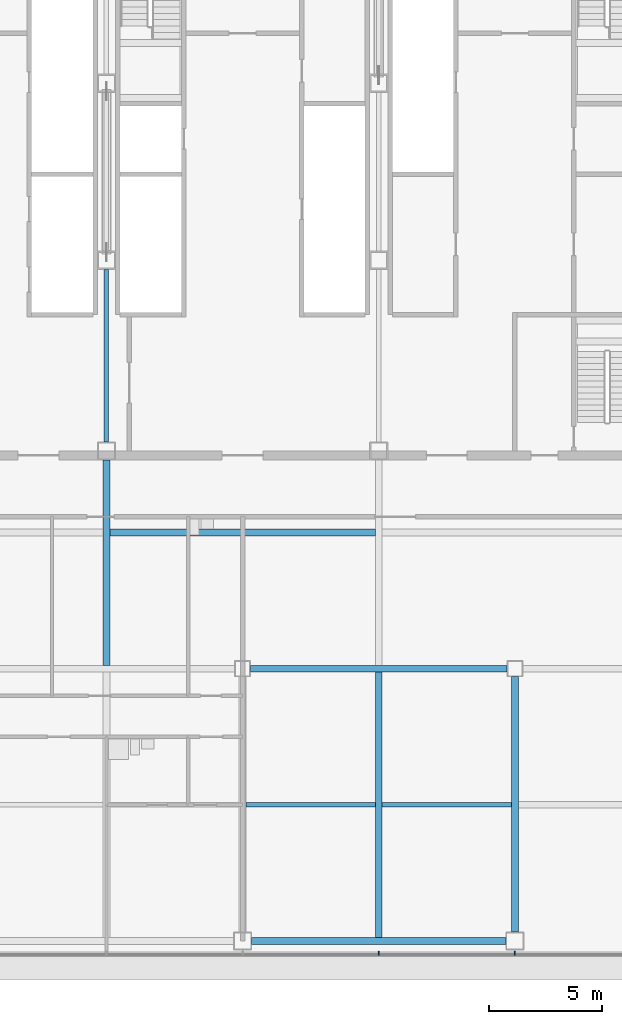
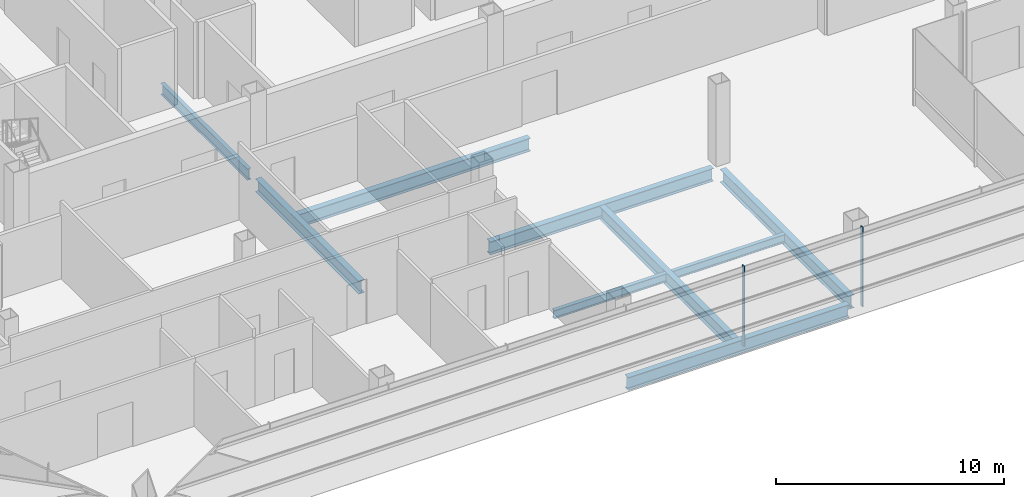
# One storey, part 8 of 28: 9 beams, 2 members, 1 element without a shape of its own.
"""IFC4 building model written with IfcOpenShell, lengths in metres."""

from ifc_helpers import new_model, si_unit, direction, frame, origin, origin_2d, place, context, subcontext, project, spatial, rectangle, i_section, extrude, material, material_profile, profile_set, type_object, element, aggregate, save


model = new_model("IFC4")

# Units and contexts
model_context = context("Model", 3, precision=1e-05, world=origin(), true_north=direction((0.0, 1.0)))
body_context = subcontext(model_context, "Body", "Model", "MODEL_VIEW")
ifc_project = project(units=[si_unit("LENGTHUNIT", "METRE"), si_unit("AREAUNIT", "SQUARE_METRE"), si_unit("VOLUMEUNIT", "CUBIC_METRE"), si_unit("PLANEANGLEUNIT", "RADIAN"), si_unit("MASSUNIT", "GRAM", prefix="KILO")], contexts=[model_context])

# Site, building, storey
site_placement = place(None, origin())
site = spatial("IfcSite", under=ifc_project, at=site_placement, CompositionType="ELEMENT")
building_placement = place(site_placement, origin())
building = spatial("IfcBuilding", under=site, at=building_placement, Name="Sorahane Residences", CompositionType="ELEMENT")
storey_placement = place(building_placement, frame((0.0, 0.0, 134.0)))
storey = spatial("IfcBuildingStorey", under=building, at=storey_placement, Name="L30", CompositionType="ELEMENT", Elevation=134.0)

# Curtain wall, members
ifc_material_1 = material(Name="Dark low-e glass and black anodised aluminium", Category="aluminium")
curtain_wall_type = type_object("IfcCurtainWallType", Name="Curtain wall CW-1 Typical unitised wall", PredefinedType="NOTDEFINED", material=ifc_material_1)
curtain_wall_placement = place(storey_placement, origin())
curtain_wall = element("IfcCurtainWall", 1, at=curtain_wall_placement, inside=storey, type_object=curtain_wall_type, Name="CW-1 curtain wall L30 S1", PredefinedType="NOTDEFINED")
ifc_material_2 = material(Name="Black anodised aluminium", Category="aluminium")
ifc_material_profile_1 = material_profile(ifc_material_2, rectangle(XDim=0.159912109375, YDim=0.050048828125, at=origin_2d()), Name="Curtain wall mullion CW-1 black anodised aluminium 50x160")
ifc_profile_set_1 = profile_set([ifc_material_profile_1], Name="Black anodised aluminium")
member_type = type_object("IfcMemberType", Name="Curtain wall mullion CW-1 black anodised aluminium 50x160", PredefinedType="MULLION", material=ifc_profile_set_1)
member_1_placement = place(storey_placement, frame((30.0, -0.5400390625, -0.179931640625), z_axis=(0.0, 0.0, 1.0), x_axis=(0.0, -1.0, 0.0)))
member_1 = element("IfcMember", 2, at=member_1_placement, type_object=member_type, Name="CW-1 mullion L30 S1.6", PredefinedType="MULLION", context=body_context, shape_type="SweptSolid", body=[
    extrude(rectangle(XDim=0.159912109375, YDim=0.050048828125, at=origin_2d()), origin(), (0.0, 0.0, 1.0), 4.280029296875),
])
member_2_placement = place(storey_placement, frame((36.0, -0.5400390625, -0.179931640625), z_axis=(0.0, 0.0, 1.0), x_axis=(0.0, -1.0, 0.0)))
member_2 = element("IfcMember", 3, at=member_2_placement, type_object=member_type, Name="CW-1 mullion L30 S1.7", PredefinedType="MULLION", context=body_context, shape_type="SweptSolid", body=[
    extrude(rectangle(XDim=0.159912109375, YDim=0.050048828125, at=origin_2d()), origin(), (0.0, 0.0, 1.0), 4.280029296875),
])
aggregate(curtain_wall, [member_1, member_2])

# Beams
ifc_material_3 = material(Name="Steel Q355B", Category="steel")
ifc_material_profile_2 = material_profile(ifc_material_3, i_section(OverallWidth=0.199951171875, OverallDepth=0.449951171875, WebThickness=0.009033203125, FlangeThickness=0.013916015625, FilletRadius=0.02001953125, at=origin_2d()), Name="HN 450x200x9x14")
ifc_profile_set_2 = profile_set([ifc_material_profile_2], Name="Steel Q355B")
beam_type_1 = type_object("IfcBeamType", Name="Steel floor beam HN 450x200x9x14 Q355B", PredefinedType="BEAM", material=ifc_profile_set_2)
for number, where, z_axis, x_axis, name in (
    (4, (24.14990234375, 6.0, -0.405029296875), (1.0, 0.0, 0.0), (0.0, 1.0, 0.0), "Beam L30 072"),
    (5, (30.14990234375, 6.0, -0.405029296875), (1.0, 0.0, 0.0), (0.0, 1.0, 0.0), "Beam L30 073"),
):
    element("IfcBeam", number, at=place(storey_placement, frame(where, z_axis=z_axis, x_axis=x_axis)), inside=storey, type_object=beam_type_1, Name=name, PredefinedType="BEAM", context=body_context, shape_type="SweptSolid", body=[
        extrude(i_section(OverallWidth=0.199951171875, OverallDepth=0.449951171875, WebThickness=0.009033203125, FlangeThickness=0.013916015625, FilletRadius=0.02001953125, at=origin_2d()), origin(), (0.0, 0.0, 1.0), 5.7001953125),
    ])
ifc_material_4 = material(Name="Steel Q355B", Category="steel")
ifc_material_profile_3 = material_profile(ifc_material_4, i_section(OverallWidth=0.199951171875, OverallDepth=0.60009765625, WebThickness=0.010986328125, FlangeThickness=0.01708984375, FilletRadius=0.02392578125, at=origin_2d()), Name="HN 600x200x11x17")
ifc_profile_set_3 = profile_set([ifc_material_profile_3], Name="Steel Q355B")
beam_type_2 = type_object("IfcBeamType", Name="Steel floor beam HN 600x200x11x17 Q355B", PredefinedType="BEAM", material=ifc_profile_set_3)
beam_1_placement = place(storey_placement, frame((18.0, 22.0, -0.47998046875), z_axis=(0.0, 1.0, 0.0), x_axis=(-1.0, 0.0, 0.0)))
element("IfcBeam", 6, at=beam_1_placement, inside=storey, type_object=beam_type_2, Name="Beam L30 038", PredefinedType="BEAM", context=body_context, shape_type="SweptSolid", body=[
    extrude(i_section(OverallWidth=0.199951171875, OverallDepth=0.60009765625, WebThickness=0.010986328125, FlangeThickness=0.01708984375, FilletRadius=0.02392578125, at=origin_2d()), origin(), (0.0, 0.0, 1.0), 7.60009765625),
])
ifc_material_5 = material(Name="Steel Q355B", Category="steel")
ifc_material_profile_4 = material_profile(ifc_material_5, i_section(OverallWidth=0.300048828125, OverallDepth=0.699951171875, WebThickness=0.012939453125, FlangeThickness=0.02392578125, FilletRadius=0.028076171875, at=origin_2d()), Name="HN 700x300x13x24")
ifc_profile_set_4 = profile_set([ifc_material_profile_4], Name="Steel Q355B")
beam_type_3 = type_object("IfcBeamType", Name="Steel floor beam HN 700x300x13x24 Q355B", PredefinedType="BEAM", material=ifc_profile_set_4)
beam_2_placement = place(storey_placement, frame((24.39990234375, 0.0, -0.530029296875), z_axis=(1.0, 0.0, 0.0), x_axis=(0.0, 1.0, 0.0)))
element("IfcBeam", 7, at=beam_2_placement, inside=storey, type_object=beam_type_3, Name="Beam L30 002", PredefinedType="BEAM", context=body_context, shape_type="SweptSolid", body=[
    extrude(i_section(OverallWidth=0.300048828125, OverallDepth=0.699951171875, WebThickness=0.012939453125, FlangeThickness=0.02392578125, FilletRadius=0.028076171875, at=origin_2d()), origin(), (0.0, 0.0, 1.0), 11.2001953125),
])
beam_3_placement = place(storey_placement, frame((24.35009765625, 12.0, -0.530029296875), z_axis=(1.0, 0.0, 0.0), x_axis=(0.0, 1.0, 0.0)))
element("IfcBeam", 8, at=beam_3_placement, inside=storey, type_object=beam_type_3, Name="Beam L30 008", PredefinedType="BEAM", context=body_context, shape_type="SweptSolid", body=[
    extrude(i_section(OverallWidth=0.300048828125, OverallDepth=0.699951171875, WebThickness=0.012939453125, FlangeThickness=0.02392578125, FilletRadius=0.028076171875, at=origin_2d()), origin(), (0.0, 0.0, 1.0), 11.2998046875),
])
beam_4_placement = place(storey_placement, frame((18.0, 12.14990234375, -0.530029296875), z_axis=(0.0, 1.0, 0.0), x_axis=(-1.0, 0.0, 0.0)))
element("IfcBeam", 9, at=beam_4_placement, inside=storey, type_object=beam_type_3, Name="Beam L30 037", PredefinedType="BEAM", context=body_context, shape_type="SweptSolid", body=[
    extrude(i_section(OverallWidth=0.300048828125, OverallDepth=0.699951171875, WebThickness=0.012939453125, FlangeThickness=0.02392578125, FilletRadius=0.028076171875, at=origin_2d()), origin(), (0.0, 0.0, 1.0), 9.050048828125),
])
beam_5_placement = place(storey_placement, frame((30.0, 0.14990234375, -0.530029296875), z_axis=(0.0, 1.0, 0.0), x_axis=(-1.0, 0.0, 0.0)))
element("IfcBeam", 10, at=beam_5_placement, inside=storey, type_object=beam_type_3, Name="Beam L30 044", PredefinedType="BEAM", context=body_context, shape_type="SweptSolid", body=[
    extrude(i_section(OverallWidth=0.300048828125, OverallDepth=0.699951171875, WebThickness=0.012939453125, FlangeThickness=0.02392578125, FilletRadius=0.028076171875, at=origin_2d()), origin(), (0.0, 0.0, 1.0), 11.7001953125),
])
beam_6_placement = place(storey_placement, frame((36.0, 0.39990234375, -0.530029296875), z_axis=(0.0, 1.0, 0.0), x_axis=(-1.0, 0.0, 0.0)))
element("IfcBeam", 11, at=beam_6_placement, inside=storey, type_object=beam_type_3, Name="Beam L30 050", PredefinedType="BEAM", context=body_context, shape_type="SweptSolid", body=[
    extrude(i_section(OverallWidth=0.300048828125, OverallDepth=0.699951171875, WebThickness=0.012939453125, FlangeThickness=0.02392578125, FilletRadius=0.028076171875, at=origin_2d()), origin(), (0.0, 0.0, 1.0), 11.25),
])
beam_7_placement = place(storey_placement, frame((18.14990234375, 18.0, -0.530029296875), z_axis=(1.0, 0.0, 0.0), x_axis=(0.0, 1.0, 0.0)))
element("IfcBeam", 12, at=beam_7_placement, inside=storey, type_object=beam_type_3, Name="Beam L30 079", PredefinedType="BEAM", context=body_context, shape_type="SweptSolid", body=[
    extrude(i_section(OverallWidth=0.300048828125, OverallDepth=0.699951171875, WebThickness=0.012939453125, FlangeThickness=0.02392578125, FilletRadius=0.028076171875, at=origin_2d()), origin(), (0.0, 0.0, 1.0), 11.7001953125),
])

save(model, "model.ifc")
